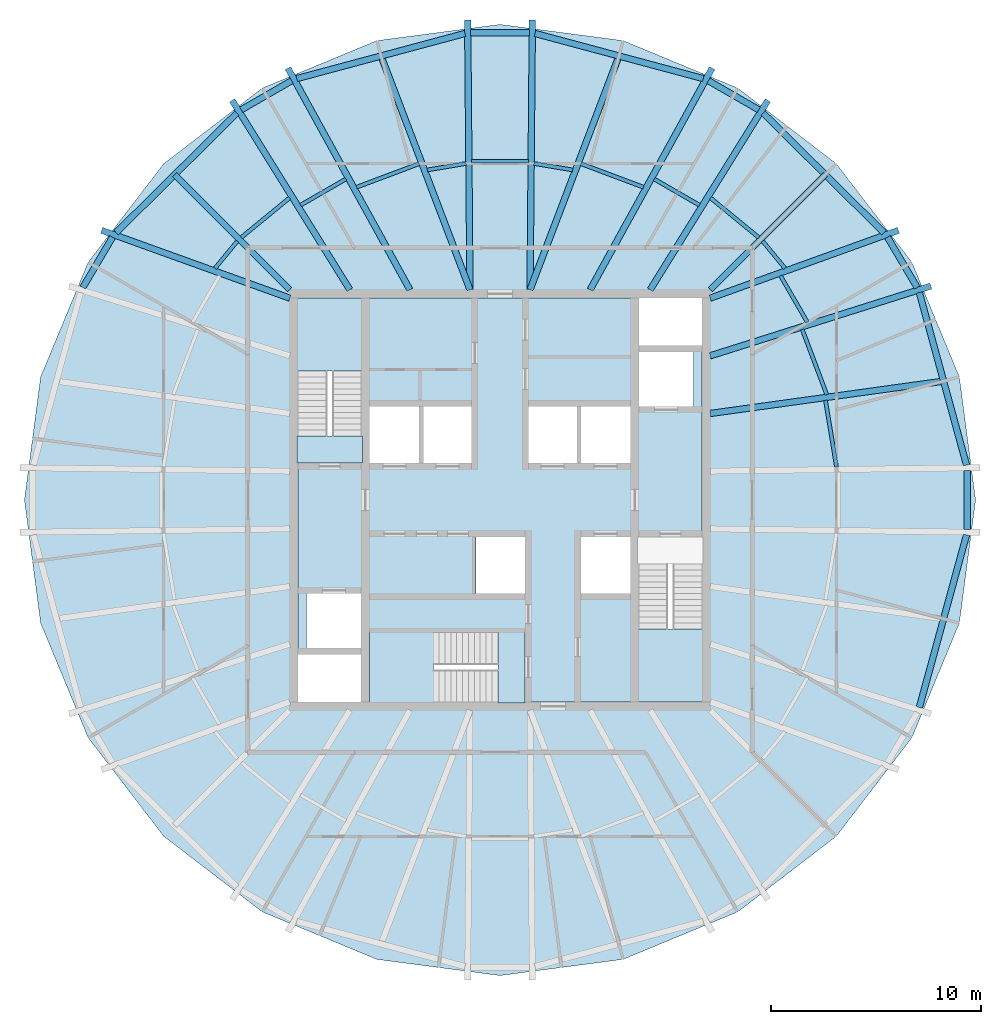
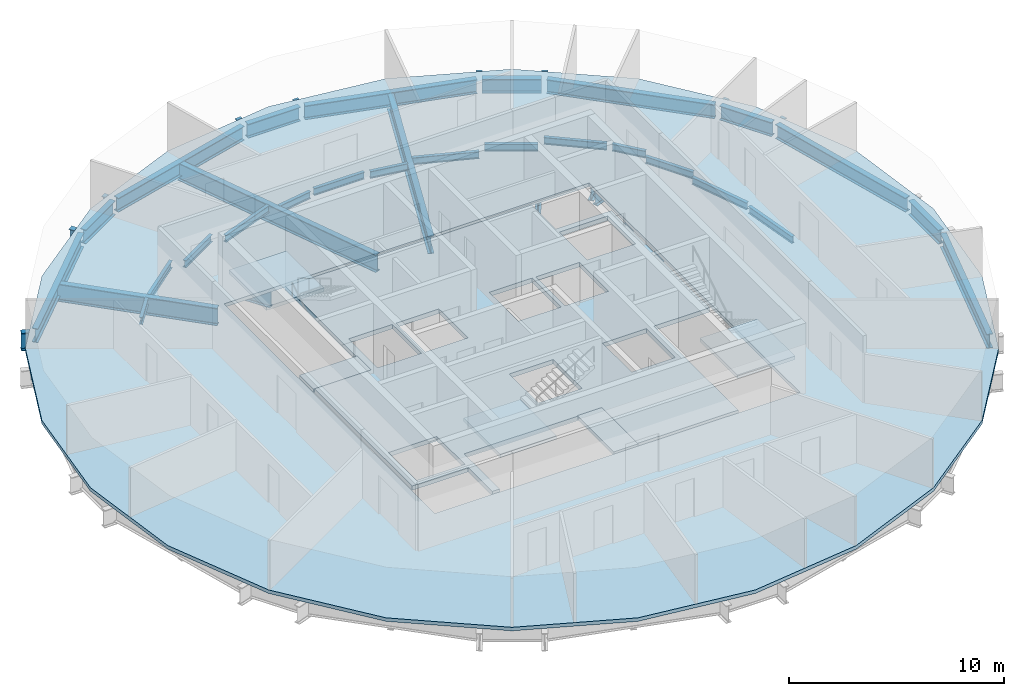
# One storey, part 2 of 6: 40 beams, 7 slabs, 3 elements without a shape of their own.
"""IFC4 building model written with IfcOpenShell, lengths in metres."""

from ifc_helpers import new_model, si_unit, direction, frame, origin, origin_2d, place, context, subcontext, project, spatial, polyline, i_section, outline, extrude, material, layer, layer_set, material_profile, profile_set, type_object, element, aggregate, save


model = new_model("IFC4")

# Units and contexts
model_context = context("Model", 3, precision=1e-05, world=origin(), true_north=direction((0.0, 1.0)))
body_context = subcontext(model_context, "Body", "Model", "MODEL_VIEW")
ifc_project = project(units=[si_unit("LENGTHUNIT", "METRE"), si_unit("AREAUNIT", "SQUARE_METRE"), si_unit("VOLUMEUNIT", "CUBIC_METRE"), si_unit("PLANEANGLEUNIT", "RADIAN"), si_unit("MASSUNIT", "GRAM", prefix="KILO")], contexts=[model_context])

# Site, building, storey
site_placement = place(None, origin())
site = spatial("IfcSite", under=ifc_project, at=site_placement, CompositionType="ELEMENT")
building_placement = place(site_placement, origin())
building = spatial("IfcBuilding", under=site, at=building_placement, Name="Golbaran Civic Tower", CompositionType="ELEMENT")
storey_placement = place(building_placement, frame((0.0, 0.0, 244.0)))
storey = spatial("IfcBuildingStorey", under=building, at=storey_placement, Name="L59", CompositionType="ELEMENT", Elevation=244.0)

# Beams
ifc_material_1 = material(Name="Steel S355", Category="steel")
ifc_material_profile_1 = material_profile(ifc_material_1, i_section(OverallWidth=0.300048828125, OverallDepth=0.800048828125, WebThickness=0.017578125, FlangeThickness=0.032958984375, FilletRadius=0.030029296875, at=origin_2d()), Name="HEB 800")
ifc_profile_set_1 = profile_set([ifc_material_profile_1], Name="Steel S355")
beam_type_1 = type_object("IfcBeamType", Name="EDGE BEAM HEB 800", PredefinedType="BEAM", material=ifc_profile_set_1)
beam_1_placement = place(storey_placement, frame((22.187744140625, 1.658935546875, -0.60009765625), z_axis=(-0.263734137138, 0.964595409956, 0.0), x_axis=(-0.964595409956, -0.263734137138, 0.0)))
element("IfcBeam", 1, at=beam_1_placement, inside=storey, type_object=beam_type_1, Name="Edge beam 3.79 L59", PredefinedType="BEAM", context=body_context, shape_type="SweptSolid", body=[
    extrude(i_section(OverallWidth=0.300048828125, OverallDepth=0.800048828125, WebThickness=0.017578125, FlangeThickness=0.032958984375, FilletRadius=0.030029296875, at=origin_2d()), origin(), (0.0, 0.0, 1.0), 8.50732421875),
])
beam_2_placement = place(storey_placement, frame((19.842041015625, 10.10546875, -0.60009765625), z_axis=(-0.508611029911, 0.860996411289, 0.0), x_axis=(-0.860996411289, -0.508611029911, 0.0)))
element("IfcBeam", 2, at=beam_2_placement, inside=storey, type_object=beam_type_1, Name="Edge beam 26.21 L59", PredefinedType="BEAM", context=body_context, shape_type="SweptSolid", body=[
    extrude(i_section(OverallWidth=0.300048828125, OverallDepth=0.800048828125, WebThickness=0.017578125, FlangeThickness=0.032958984375, FilletRadius=0.030029296875, at=origin_2d()), origin(), (0.0, 0.0, 1.0), 2.78173828125),
])
beam_3_placement = place(storey_placement, frame((18.257568359375, 12.7158203125, -0.60009765625), z_axis=(-0.71085817103, 0.703335382787, 0.0), x_axis=(-0.703335382787, -0.71085817103, 0.0)))
element("IfcBeam", 3, at=beam_3_placement, inside=storey, type_object=beam_type_1, Name="Edge beam 33.79 L59", PredefinedType="BEAM", context=body_context, shape_type="SweptSolid", body=[
    extrude(i_section(OverallWidth=0.300048828125, OverallDepth=0.800048828125, WebThickness=0.017578125, FlangeThickness=0.032958984375, FilletRadius=0.030029296875, at=origin_2d()), origin(), (0.0, 0.0, 1.0), 8.080810546875),
])
beam_4_placement = place(storey_placement, frame((12.3056640625, 18.55810546875, -0.60009765625), z_axis=(-0.866173842969, 0.499742807609, 0.0), x_axis=(-0.499742807609, -0.866173842969, 0.0)))
element("IfcBeam", 4, at=beam_4_placement, inside=storey, type_object=beam_type_1, Name="Edge beam 56.21 L59", PredefinedType="BEAM", context=body_context, shape_type="SweptSolid", body=[
    extrude(i_section(OverallWidth=0.300048828125, OverallDepth=0.800048828125, WebThickness=0.017578125, FlangeThickness=0.032958984375, FilletRadius=0.030029296875, at=origin_2d()), origin(), (0.0, 0.0, 1.0), 2.76904296875),
])
beam_5_placement = place(storey_placement, frame((9.665283203125, 20.04150390625, -0.60009765625), z_axis=(-0.965843017128, 0.259127895576, 0.0), x_axis=(-0.259127895576, -0.965843017128, 0.0)))
element("IfcBeam", 5, at=beam_5_placement, inside=storey, type_object=beam_type_1, Name="Edge beam 63.79 L59", PredefinedType="BEAM", context=body_context, shape_type="SweptSolid", body=[
    extrude(i_section(OverallWidth=0.300048828125, OverallDepth=0.800048828125, WebThickness=0.017578125, FlangeThickness=0.032958984375, FilletRadius=0.030029296875, at=origin_2d()), origin(), (0.0, 0.0, 1.0), 8.284423828125),
])
beam_6_placement = place(storey_placement, frame((1.404052734375, 22.222900390625, -0.60009765625), z_axis=(-1.0, 0.0, 0.0), x_axis=(0.0, -1.0, 0.0)))
element("IfcBeam", 6, at=beam_6_placement, inside=storey, type_object=beam_type_1, Name="Edge beam 86.21 L59", PredefinedType="BEAM", context=body_context, shape_type="SweptSolid", body=[
    extrude(i_section(OverallWidth=0.300048828125, OverallDepth=0.800048828125, WebThickness=0.017578125, FlangeThickness=0.032958984375, FilletRadius=0.030029296875, at=origin_2d()), origin(), (0.0, 0.0, 1.0), 2.80810546875),
])
beam_7_placement = place(storey_placement, frame((-1.663818359375, 22.188232421875, -0.60009765625), z_axis=(-0.965843017128, -0.259127895576, 0.0), x_axis=(0.259127895576, -0.965843017128, 0.0)))
element("IfcBeam", 7, at=beam_7_placement, inside=storey, type_object=beam_type_1, Name="Edge beam 93.79 L59", PredefinedType="BEAM", context=body_context, shape_type="SweptSolid", body=[
    extrude(i_section(OverallWidth=0.300048828125, OverallDepth=0.800048828125, WebThickness=0.017578125, FlangeThickness=0.032958984375, FilletRadius=0.030029296875, at=origin_2d()), origin(), (0.0, 0.0, 1.0), 8.284423828125),
])
beam_8_placement = place(storey_placement, frame((-9.9072265625, 19.94189453125, -0.60009765625), z_axis=(-0.866173842969, -0.499742807609, 0.0), x_axis=(0.499742807609, -0.866173842969, 0.0)))
element("IfcBeam", 8, at=beam_8_placement, inside=storey, type_object=beam_type_1, Name="Edge beam 116.21 L59", PredefinedType="BEAM", context=body_context, shape_type="SweptSolid", body=[
    extrude(i_section(OverallWidth=0.300048828125, OverallDepth=0.800048828125, WebThickness=0.017578125, FlangeThickness=0.032958984375, FilletRadius=0.030029296875, at=origin_2d()), origin(), (0.0, 0.0, 1.0), 2.76904296875),
])
beam_9_placement = place(storey_placement, frame((-12.51318359375, 18.3994140625, -0.60009765625), z_axis=(-0.71085817103, -0.703335382787, 0.0), x_axis=(0.703335382787, -0.71085817103, 0.0)))
element("IfcBeam", 9, at=beam_9_placement, inside=storey, type_object=beam_type_1, Name="Edge beam 123.79 L59", PredefinedType="BEAM", context=body_context, shape_type="SweptSolid", body=[
    extrude(i_section(OverallWidth=0.300048828125, OverallDepth=0.800048828125, WebThickness=0.017578125, FlangeThickness=0.032958984375, FilletRadius=0.030029296875, at=origin_2d()), origin(), (0.0, 0.0, 1.0), 8.080810546875),
])
beam_10_placement = place(storey_placement, frame((-18.42724609375, 12.50048828125, -0.60009765625), z_axis=(-0.508611029911, -0.860996411289, 0.0), x_axis=(0.860996411289, -0.508611029911, 0.0)))
element("IfcBeam", 10, at=beam_10_placement, inside=storey, type_object=beam_type_1, Name="Edge beam 146.21 L59", PredefinedType="BEAM", context=body_context, shape_type="SweptSolid", body=[
    extrude(i_section(OverallWidth=0.300048828125, OverallDepth=0.800048828125, WebThickness=0.017578125, FlangeThickness=0.032958984375, FilletRadius=0.030029296875, at=origin_2d()), origin(), (0.0, 0.0, 1.0), 2.78173828125),
])
beam_11_placement = place(storey_placement, frame((19.944091796875, -9.864990234375, -0.60009765625), z_axis=(0.263734137138, 0.964595409956, 0.0), x_axis=(-0.964595409956, 0.263734137138, 0.0)))
element("IfcBeam", 11, at=beam_11_placement, inside=storey, type_object=beam_type_1, Name="Edge beam 333.79 L59", PredefinedType="BEAM", context=body_context, shape_type="SweptSolid", body=[
    extrude(i_section(OverallWidth=0.300048828125, OverallDepth=0.800048828125, WebThickness=0.017578125, FlangeThickness=0.032958984375, FilletRadius=0.030029296875, at=origin_2d()), origin(), (0.0, 0.0, 1.0), 8.50732421875),
])
beam_12_placement = place(storey_placement, frame((22.22314453125, -1.399169921875, -0.60009765625), z_axis=(0.0, 1.0, 0.0), x_axis=(-1.0, 0.0, 0.0)))
element("IfcBeam", 12, at=beam_12_placement, inside=storey, type_object=beam_type_1, Name="Edge beam 356.21 L59", PredefinedType="BEAM", context=body_context, shape_type="SweptSolid", body=[
    extrude(i_section(OverallWidth=0.300048828125, OverallDepth=0.800048828125, WebThickness=0.017578125, FlangeThickness=0.032958984375, FilletRadius=0.030029296875, at=origin_2d()), origin(), (0.0, 0.0, 1.0), 2.79833984375),
])
ifc_material_profile_2 = material_profile(ifc_material_1, i_section(OverallWidth=0.179931640625, OverallDepth=0.39990234375, WebThickness=0.008544921875, FlangeThickness=0.013427734375, FilletRadius=0.02099609375, at=origin_2d()), Name="IPE 400")
ifc_profile_set_2 = profile_set([ifc_material_profile_2], Name="Steel S355")
beam_type_2 = type_object("IfcBeamType", Name="FLOOR INFILL BEAM IPE 400", PredefinedType="BEAM", material=ifc_profile_set_2)
beam_13_placement = place(storey_placement, frame((16.0029296875, 1.578857421875, -0.39990234375), z_axis=(-0.163226033771, 0.986588699459, 0.0), x_axis=(-0.986588699459, -0.163226033771, 0.0)))
element("IfcBeam", 13, at=beam_13_placement, inside=storey, type_object=beam_type_2, Name="Infill beam 9.39 L59", PredefinedType="BEAM", context=body_context, shape_type="SweptSolid", body=[
    extrude(i_section(OverallWidth=0.179931640625, OverallDepth=0.39990234375, WebThickness=0.008544921875, FlangeThickness=0.013427734375, FilletRadius=0.02099609375, at=origin_2d()), origin(), (0.0, 0.0, 1.0), 3.206787109375),
])
beam_14_placement = place(storey_placement, frame((15.53857421875, 5.013427734375, -0.39990234375), z_axis=(-0.351973981734, 0.936009784234, 0.0), x_axis=(-0.936009784234, -0.351973981734, 0.0)))
element("IfcBeam", 14, at=beam_14_placement, inside=storey, type_object=beam_type_2, Name="Infill beam 20.61 L59", PredefinedType="BEAM", context=body_context, shape_type="SweptSolid", body=[
    extrude(i_section(OverallWidth=0.179931640625, OverallDepth=0.39990234375, WebThickness=0.008544921875, FlangeThickness=0.013427734375, FilletRadius=0.02099609375, at=origin_2d()), origin(), (0.0, 0.0, 1.0), 3.302490234375),
])
beam_15_placement = place(storey_placement, frame((14.617431640625, 8.45361328125, -0.39990234375), z_axis=(-0.499962338254, 0.866047146712, 0.0), x_axis=(-0.866047146712, -0.499962338254, 0.0)))
element("IfcBeam", 15, at=beam_15_placement, inside=storey, type_object=beam_type_2, Name="Infill beam 30.00 L59", PredefinedType="BEAM", context=body_context, shape_type="SweptSolid", body=[
    extrude(i_section(OverallWidth=0.179931640625, OverallDepth=0.39990234375, WebThickness=0.008544921875, FlangeThickness=0.013427734375, FilletRadius=0.02099609375, at=origin_2d()), origin(), (0.0, 0.0, 1.0), 2.554931640625),
])
beam_16_placement = place(storey_placement, frame((13.55419921875, 11.019775390625, -0.39990234375), z_axis=(-0.634574189165, 0.772861953033, 0.0), x_axis=(-0.772861953033, -0.634574189165, 0.0)))
element("IfcBeam", 16, at=beam_16_placement, inside=storey, type_object=beam_type_2, Name="Infill beam 39.39 L59", PredefinedType="BEAM", context=body_context, shape_type="SweptSolid", body=[
    extrude(i_section(OverallWidth=0.179931640625, OverallDepth=0.39990234375, WebThickness=0.008544921875, FlangeThickness=0.013427734375, FilletRadius=0.02099609375, at=origin_2d()), origin(), (0.0, 0.0, 1.0), 1.670166015625),
])
beam_17_placement = place(storey_placement, frame((12.302490234375, 12.486328125, -0.39990234375), z_axis=(-0.772848776414, 0.634590236921, 0.0), x_axis=(-0.634590236921, -0.772848776414, 0.0)))
element("IfcBeam", 17, at=beam_17_placement, inside=storey, type_object=beam_type_2, Name="Infill beam 50.61 L59", PredefinedType="BEAM", context=body_context, shape_type="SweptSolid", body=[
    extrude(i_section(OverallWidth=0.179931640625, OverallDepth=0.39990234375, WebThickness=0.008544921875, FlangeThickness=0.013427734375, FilletRadius=0.02099609375, at=origin_2d()), origin(), (0.0, 0.0, 1.0), 2.966552734375),
])
beam_18_placement = place(storey_placement, frame((9.487060546875, 14.0205078125, -0.39990234375), z_axis=(-0.866012380058, 0.500022557078, 0.0), x_axis=(-0.500022557078, -0.866012380058, 0.0)))
element("IfcBeam", 18, at=beam_18_placement, inside=storey, type_object=beam_type_2, Name="Infill beam 60.00 L59", PredefinedType="BEAM", context=body_context, shape_type="SweptSolid", body=[
    extrude(i_section(OverallWidth=0.179931640625, OverallDepth=0.39990234375, WebThickness=0.008544921875, FlangeThickness=0.013427734375, FilletRadius=0.02099609375, at=origin_2d()), origin(), (0.0, 0.0, 1.0), 2.48828125),
])
beam_19_placement = place(storey_placement, frame((6.821533203125, 14.875732421875, -0.39990234375), z_axis=(-0.936028781581, 0.351923457661, 0.0), x_axis=(-0.351923457661, -0.936028781581, 0.0)))
element("IfcBeam", 19, at=beam_19_placement, inside=storey, type_object=beam_type_2, Name="Infill beam 69.39 L59", PredefinedType="BEAM", context=body_context, shape_type="SweptSolid", body=[
    extrude(i_section(OverallWidth=0.179931640625, OverallDepth=0.39990234375, WebThickness=0.008544921875, FlangeThickness=0.013427734375, FilletRadius=0.02099609375, at=origin_2d()), origin(), (0.0, 0.0, 1.0), 3.176513671875),
])
beam_20_placement = place(storey_placement, frame((3.457275390625, 15.69775390625, -0.39990234375), z_axis=(-0.986580095911, 0.16327802777, 0.0), x_axis=(-0.16327802777, -0.986580095911, 0.0)))
element("IfcBeam", 20, at=beam_20_placement, inside=storey, type_object=beam_type_2, Name="Infill beam 80.61 L59", PredefinedType="BEAM", context=body_context, shape_type="SweptSolid", body=[
    extrude(i_section(OverallWidth=0.179931640625, OverallDepth=0.39990234375, WebThickness=0.008544921875, FlangeThickness=0.013427734375, FilletRadius=0.02099609375, at=origin_2d()), origin(), (0.0, 0.0, 1.0), 1.8720703125),
])
beam_21_placement = place(storey_placement, frame((1.351318359375, 16.111572265625, -0.39990234375), z_axis=(-1.0, 0.0, 0.0), x_axis=(0.0, -1.0, 0.0)))
element("IfcBeam", 21, at=beam_21_placement, inside=storey, type_object=beam_type_2, Name="Infill beam 90.00 L59", PredefinedType="BEAM", context=body_context, shape_type="SweptSolid", body=[
    extrude(i_section(OverallWidth=0.179931640625, OverallDepth=0.39990234375, WebThickness=0.008544921875, FlangeThickness=0.013427734375, FilletRadius=0.02099609375, at=origin_2d()), origin(), (0.0, 0.0, 1.0), 2.70263671875),
])
beam_22_placement = place(storey_placement, frame((-1.6103515625, 16.00341796875, -0.39990234375), z_axis=(-0.986580095911, -0.16327802777, 0.0), x_axis=(0.16327802777, -0.986580095911, 0.0)))
element("IfcBeam", 22, at=beam_22_placement, inside=storey, type_object=beam_type_2, Name="Infill beam 99.39 L59", PredefinedType="BEAM", context=body_context, shape_type="SweptSolid", body=[
    extrude(i_section(OverallWidth=0.179931640625, OverallDepth=0.39990234375, WebThickness=0.008544921875, FlangeThickness=0.013427734375, FilletRadius=0.02099609375, at=origin_2d()), origin(), (0.0, 0.0, 1.0), 1.8720703125),
])
beam_23_placement = place(storey_placement, frame((-3.84814453125, 15.99365234375, -0.39990234375), z_axis=(-0.936028781581, -0.351923457661, 0.0), x_axis=(0.351923457661, -0.936028781581, 0.0)))
element("IfcBeam", 23, at=beam_23_placement, inside=storey, type_object=beam_type_2, Name="Infill beam 110.61 L59", PredefinedType="BEAM", context=body_context, shape_type="SweptSolid", body=[
    extrude(i_section(OverallWidth=0.179931640625, OverallDepth=0.39990234375, WebThickness=0.008544921875, FlangeThickness=0.013427734375, FilletRadius=0.02099609375, at=origin_2d()), origin(), (0.0, 0.0, 1.0), 3.176513671875),
])
beam_24_placement = place(storey_placement, frame((-7.332275390625, 15.2646484375, -0.39990234375), z_axis=(-0.866012380058, -0.500022557078, 0.0), x_axis=(0.500022557078, -0.866012380058, 0.0)))
element("IfcBeam", 24, at=beam_24_placement, inside=storey, type_object=beam_type_2, Name="Infill beam 120.00 L59", PredefinedType="BEAM", context=body_context, shape_type="SweptSolid", body=[
    extrude(i_section(OverallWidth=0.179931640625, OverallDepth=0.39990234375, WebThickness=0.008544921875, FlangeThickness=0.013427734375, FilletRadius=0.02099609375, at=origin_2d()), origin(), (0.0, 0.0, 1.0), 2.48828125),
])
beam_25_placement = place(storey_placement, frame((-10.009765625, 14.368896484375, -0.39990234375), z_axis=(-0.772848776414, -0.634590236921, 0.0), x_axis=(0.634590236921, -0.772848776414, 0.0)))
element("IfcBeam", 25, at=beam_25_placement, inside=storey, type_object=beam_type_2, Name="Infill beam 129.39 L59", PredefinedType="BEAM", context=body_context, shape_type="SweptSolid", body=[
    extrude(i_section(OverallWidth=0.179931640625, OverallDepth=0.39990234375, WebThickness=0.008544921875, FlangeThickness=0.013427734375, FilletRadius=0.02099609375, at=origin_2d()), origin(), (0.0, 0.0, 1.0), 2.966552734375),
])
beam_26_placement = place(storey_placement, frame((-12.494384765625, 12.310546875, -0.39990234375), z_axis=(-0.634574189165, -0.772861953033, 0.0), x_axis=(0.772861953033, -0.634574189165, 0.0)))
element("IfcBeam", 26, at=beam_26_placement, inside=storey, type_object=beam_type_2, Name="Infill beam 140.61 L59", PredefinedType="BEAM", context=body_context, shape_type="SweptSolid", body=[
    extrude(i_section(OverallWidth=0.179931640625, OverallDepth=0.39990234375, WebThickness=0.008544921875, FlangeThickness=0.013427734375, FilletRadius=0.02099609375, at=origin_2d()), origin(), (0.0, 0.0, 1.0), 1.670166015625),
])
ifc_material_profile_3 = material_profile(ifc_material_1, i_section(OverallWidth=0.300048828125, OverallDepth=1.0, WebThickness=0.01904296875, FlangeThickness=0.035888671875, FilletRadius=0.030029296875, at=origin_2d()), Name="HEB 1000")
ifc_profile_set_3 = profile_set([ifc_material_profile_3], Name="Steel S355")
beam_type_3 = type_object("IfcBeamType", Name="RADIAL FLOOR BEAM HEB 1000", PredefinedType="BEAM", material=ifc_profile_set_3)
beam_27_placement = place(storey_placement, frame((10.0, 6.857177734375, -0.7099609375), z_axis=(0.953472615624, 0.30147963655, 0.0), x_axis=(-0.30147963655, 0.953472615624, 0.0)))
element("IfcBeam", 27, at=beam_27_placement, inside=storey, type_object=beam_type_3, Name="Radial beam 26.21 L59", PredefinedType="BEAM", context=body_context, shape_type="SweptSolid", body=[
    extrude(i_section(OverallWidth=0.300048828125, OverallDepth=1.0, WebThickness=0.01904296875, FlangeThickness=0.035888671875, FilletRadius=0.030029296875, at=origin_2d()), origin(), (0.0, 0.0, 1.0), 11.003662109375),
])
beam_28_placement = place(storey_placement, frame((10.0, 9.60009765625, -0.7099609375), z_axis=(0.940708930725, 0.339214839967, 0.0), x_axis=(-0.339214839967, 0.940708930725, 0.0)))
element("IfcBeam", 28, at=beam_28_placement, inside=storey, type_object=beam_type_3, Name="Radial beam 33.79 L59", PredefinedType="BEAM", context=body_context, shape_type="SweptSolid", body=[
    extrude(i_section(OverallWidth=0.300048828125, OverallDepth=1.0, WebThickness=0.01904296875, FlangeThickness=0.035888671875, FilletRadius=0.030029296875, at=origin_2d()), origin(), (0.0, 0.0, 1.0), 9.510498046875),
])
beam_29_placement = place(storey_placement, frame((7.142822265625, 10.0, -0.7099609375), z_axis=(0.527645437204, 0.849464709448, 0.0), x_axis=(-0.849464709448, 0.527645437204, 0.0)))
element("IfcBeam", 29, at=beam_29_placement, inside=storey, type_object=beam_type_3, Name="Radial beam 56.21 L59", PredefinedType="BEAM", context=body_context, shape_type="SweptSolid", body=[
    extrude(i_section(OverallWidth=0.300048828125, OverallDepth=1.0, WebThickness=0.01904296875, FlangeThickness=0.035888671875, FilletRadius=0.030029296875, at=origin_2d()), origin(), (0.0, 0.0, 1.0), 10.601806640625),
])
beam_30_placement = place(storey_placement, frame((4.28564453125, 10.0, -0.7099609375), z_axis=(0.482273268066, 0.87602083018, 0.0), x_axis=(-0.87602083018, 0.482273268066, 0.0)))
element("IfcBeam", 30, at=beam_30_placement, inside=storey, type_object=beam_type_3, Name="Radial beam 63.79 L59", PredefinedType="BEAM", context=body_context, shape_type="SweptSolid", body=[
    extrude(i_section(OverallWidth=0.300048828125, OverallDepth=1.0, WebThickness=0.01904296875, FlangeThickness=0.035888671875, FilletRadius=0.030029296875, at=origin_2d()), origin(), (0.0, 0.0, 1.0), 12.027099609375),
])
for number, where, z_axis, x_axis, name in (
    (31, (1.428466796875, 10.0, -0.7099609375), (0.008640712817, 0.999962668344, 0.0), (-0.999962668344, 0.008640712817, 0.0), "Radial beam 86.21 L59"),
    (32, (-1.428466796875, 10.0, -0.7099609375), (-0.008640712817, 0.999962668344, 0.0), (-0.999962668344, -0.008640712817, 0.0), "Radial beam 93.79 L59"),
):
    element("IfcBeam", number, at=place(storey_placement, frame(where, z_axis=z_axis, x_axis=x_axis)), inside=storey, type_object=beam_type_3, Name=name, PredefinedType="BEAM", context=body_context, shape_type="SweptSolid", body=[
        extrude(i_section(OverallWidth=0.300048828125, OverallDepth=1.0, WebThickness=0.01904296875, FlangeThickness=0.035888671875, FilletRadius=0.030029296875, at=origin_2d()), origin(), (0.0, 0.0, 1.0), 12.82763671875),
    ])
beam_31_placement = place(storey_placement, frame((-4.28564453125, 10.0, -0.7099609375), z_axis=(-0.482273268066, 0.87602083018, 0.0), x_axis=(-0.87602083018, -0.482273268066, 0.0)))
element("IfcBeam", 33, at=beam_31_placement, inside=storey, type_object=beam_type_3, Name="Radial beam 116.21 L59", PredefinedType="BEAM", context=body_context, shape_type="SweptSolid", body=[
    extrude(i_section(OverallWidth=0.300048828125, OverallDepth=1.0, WebThickness=0.01904296875, FlangeThickness=0.035888671875, FilletRadius=0.030029296875, at=origin_2d()), origin(), (0.0, 0.0, 1.0), 12.027099609375),
])
beam_32_placement = place(storey_placement, frame((-7.142822265625, 10.0, -0.7099609375), z_axis=(-0.527645437204, 0.849464709448, 0.0), x_axis=(-0.849464709448, -0.527645437204, 0.0)))
element("IfcBeam", 34, at=beam_32_placement, inside=storey, type_object=beam_type_3, Name="Radial beam 123.79 L59", PredefinedType="BEAM", context=body_context, shape_type="SweptSolid", body=[
    extrude(i_section(OverallWidth=0.300048828125, OverallDepth=1.0, WebThickness=0.01904296875, FlangeThickness=0.035888671875, FilletRadius=0.030029296875, at=origin_2d()), origin(), (0.0, 0.0, 1.0), 10.601806640625),
])
beam_33_placement = place(storey_placement, frame((-10.0, 9.60009765625, -0.7099609375), z_axis=(-0.940708930725, 0.339214839967, 0.0), x_axis=(-0.339214839967, -0.940708930725, 0.0)))
element("IfcBeam", 35, at=beam_33_placement, inside=storey, type_object=beam_type_3, Name="Radial beam 146.21 L59", PredefinedType="BEAM", context=body_context, shape_type="SweptSolid", body=[
    extrude(i_section(OverallWidth=0.300048828125, OverallDepth=1.0, WebThickness=0.01904296875, FlangeThickness=0.035888671875, FilletRadius=0.030029296875, at=origin_2d()), origin(), (0.0, 0.0, 1.0), 9.510498046875),
])
ifc_material_profile_4 = material_profile(ifc_material_1, i_section(OverallWidth=0.300048828125, OverallDepth=1.0, WebThickness=0.01904296875, FlangeThickness=0.035888671875, FilletRadius=0.030029296875, at=origin_2d()), Name="HEB 1000")
ifc_profile_set_4 = profile_set([ifc_material_profile_4], Name="Steel S355")
beam_type_4 = type_object("IfcBeamType", Name="SECONDARY FLOOR BEAM HEB 1000", PredefinedType="BEAM", material=ifc_profile_set_4)
beam_34_placement = place(storey_placement, frame((10.0, 4.1142578125, -0.7099609375), z_axis=(0.990525982376, 0.137325446433, 0.0), x_axis=(-0.137325446433, 0.990525982376, 0.0)))
element("IfcBeam", 36, at=beam_34_placement, inside=storey, type_object=beam_type_4, Name="Secondary beam 15.00 L59", PredefinedType="BEAM", context=body_context, shape_type="SweptSolid", body=[
    extrude(i_section(OverallWidth=0.300048828125, OverallDepth=1.0, WebThickness=0.01904296875, FlangeThickness=0.035888671875, FilletRadius=0.030029296875, at=origin_2d()), origin(), (0.0, 0.0, 1.0), 11.2021484375),
])
beam_35_placement = place(storey_placement, frame((10.0, 10.0, -0.7099609375), z_axis=(0.707106781187, 0.707106781187, 0.0), x_axis=(-0.707106781187, 0.707106781187, 0.0)))
element("IfcBeam", 37, at=beam_35_placement, inside=storey, type_object=beam_type_4, Name="Secondary beam 45.00 L59", PredefinedType="BEAM", context=body_context, shape_type="SweptSolid", body=[
    extrude(i_section(OverallWidth=0.300048828125, OverallDepth=1.0, WebThickness=0.01904296875, FlangeThickness=0.035888671875, FilletRadius=0.030029296875, at=origin_2d()), origin(), (0.0, 0.0, 1.0), 7.738525390625),
])
for number, where, z_axis, x_axis, name in (
    (38, (1.428466796875, 10.0, -0.7099609375), (0.355620579657, 0.934630410015, 0.0), (-0.934630410015, 0.355620579657, 0.0), "Secondary beam 75.00 L59"),
    (39, (-1.428466796875, 10.0, -0.7099609375), (-0.355620579657, 0.934630410015, 0.0), (-0.934630410015, -0.355620579657, 0.0), "Secondary beam 105.00 L59"),
):
    element("IfcBeam", number, at=place(storey_placement, frame(where, z_axis=z_axis, x_axis=x_axis)), inside=storey, type_object=beam_type_4, Name=name, PredefinedType="BEAM", context=body_context, shape_type="SweptSolid", body=[
        extrude(i_section(OverallWidth=0.300048828125, OverallDepth=1.0, WebThickness=0.01904296875, FlangeThickness=0.035888671875, FilletRadius=0.030029296875, at=origin_2d()), origin(), (0.0, 0.0, 1.0), 11.89404296875),
    ])
beam_36_placement = place(storey_placement, frame((-10.0, 10.0, -0.7099609375), z_axis=(-0.707106781187, 0.707106781187, 0.0), x_axis=(-0.707106781187, -0.707106781187, 0.0)))
element("IfcBeam", 40, at=beam_36_placement, inside=storey, type_object=beam_type_4, Name="Secondary beam 135.00 L59", PredefinedType="BEAM", context=body_context, shape_type="SweptSolid", body=[
    extrude(i_section(OverallWidth=0.300048828125, OverallDepth=1.0, WebThickness=0.01904296875, FlangeThickness=0.035888671875, FilletRadius=0.030029296875, at=origin_2d()), origin(), (0.0, 0.0, 1.0), 7.738525390625),
])

# Slabs
ifc_material_2 = material(Name="Concrete LC30/33 lightweight on steel deck", Category="concrete")
ifc_layer_1 = layer(ifc_material_2, 0.199951171875, Name="Concrete LC30/33 lightweight on steel deck")
ifc_layer_set_1 = layer_set([ifc_layer_1], Name="Concrete LC30/33 lightweight on steel deck")
slab_type_1 = type_object("IfcSlabType", Name="COMPOSITE FLOOR SLAB 200", PredefinedType="FLOOR", material=ifc_layer_set_1)
slab_1_placement = place(storey_placement, frame((0.0, 0.0, -0.199951171875)))
element("IfcSlab", 41, at=slab_1_placement, inside=storey, type_object=slab_type_1, Name="Floor slab L59", PredefinedType="FLOOR", context=body_context, shape_type="SweptSolid", body=[
    extrude(outline(polyline([(19.5888671875, -11.3095703125), (15.994384765625, -15.994384765625), (11.3095703125, -19.5888671875), (5.854248046875, -21.8486328125), (0.0, -22.619384765625), (-5.854248046875, -21.8486328125), (-11.3095703125, -19.5888671875), (-15.994384765625, -15.994384765625), (-19.5888671875, -11.3095703125), (-21.8486328125, -5.854248046875), (-22.619384765625, 0.0), (-21.8486328125, 5.854248046875), (-19.5888671875, 11.3095703125), (-15.994384765625, 15.994384765625), (-11.3095703125, 19.5888671875), (-5.854248046875, 21.8486328125), (0.0, 22.619384765625), (5.854248046875, 21.8486328125), (11.3095703125, 19.5888671875), (15.994384765625, 15.994384765625), (19.5888671875, 11.3095703125), (21.8486328125, 5.854248046875), (22.619384765625, 0.0), (21.8486328125, -5.854248046875), (19.5888671875, -11.3095703125)]), holes=[polyline([(-9.800048828125, 9.800048828125), (-9.800048828125, -9.800048828125), (9.800048828125, -9.800048828125), (9.800048828125, 9.800048828125), (-9.800048828125, 9.800048828125)])]), origin(), (0.0, 0.0, 1.0), 0.199951171875),
])
ifc_material_3 = material(Name="Concrete C35/45", Category="concrete")
ifc_layer_2 = layer(ifc_material_3, 0.25, Name="Concrete C35/45")
ifc_layer_set_2 = layer_set([ifc_layer_2], Name="Concrete C35/45")
slab_type_2 = type_object("IfcSlabType", Name="CORE FLOOR SLAB 250", PredefinedType="FLOOR", material=ifc_layer_set_2)
slab_2_placement = place(storey_placement, frame((0.0, 0.0, -0.25)))
element("IfcSlab", 42, at=slab_2_placement, inside=storey, type_object=slab_type_2, Name="Core floor slab L59", PredefinedType="FLOOR", context=body_context, shape_type="SweptSolid", body=[
    extrude(outline(polyline([(6.60009765625, -1.75), (6.60009765625, -9.60009765625), (1.199951171875, -9.60009765625), (1.199951171875, -6.300048828125), (-6.199951171875, -6.300048828125), (-6.199951171875, -9.60009765625), (-6.60009765625, -9.60009765625), (-6.60009765625, -7.35009765625), (-9.60009765625, -7.35009765625), (-9.60009765625, 1.75), (-6.60009765625, 1.75), (-6.60009765625, 9.60009765625), (6.60009765625, 9.60009765625), (6.60009765625, 7.35009765625), (9.60009765625, 7.35009765625), (9.60009765625, -1.75), (6.60009765625, -1.75)]), holes=[polyline([(9.199951171875, 7.050048828125), (6.60009765625, 7.050048828125), (6.60009765625, 4.449951171875), (9.199951171875, 4.449951171875), (9.199951171875, 7.050048828125)]), polyline([(6.199951171875, -1.75), (3.85009765625, -1.75), (3.85009765625, -4.449951171875), (6.199951171875, -4.449951171875), (6.199951171875, -1.75)]), polyline([(6.199951171875, 4.449951171875), (3.85009765625, 4.449951171875), (3.85009765625, 1.75), (6.199951171875, 1.75), (6.199951171875, 4.449951171875)]), polyline([(3.64990234375, 4.449951171875), (1.35009765625, 4.449951171875), (1.35009765625, 1.75), (3.64990234375, 1.75), (3.64990234375, 4.449951171875)]), polyline([(-1.14990234375, -1.75), (-1.14990234375, -4.449951171875), (1.199951171875, -4.449951171875), (1.199951171875, -1.75), (-1.14990234375, -1.75)]), polyline([(-1.35009765625, 4.449951171875), (-3.64990234375, 4.449951171875), (-3.64990234375, 1.75), (-1.35009765625, 1.75), (-1.35009765625, 4.449951171875)]), polyline([(-3.85009765625, 4.449951171875), (-6.199951171875, 4.449951171875), (-6.199951171875, 1.75), (-3.85009765625, 1.75), (-3.85009765625, 4.449951171875)]), polyline([(-6.60009765625, -4.449951171875), (-9.199951171875, -4.449951171875), (-9.199951171875, -7.050048828125), (-6.60009765625, -7.050048828125), (-6.60009765625, -4.449951171875)])]), origin(), (0.0, 0.0, 1.0), 0.25),
])

# Stair, slab
stair_type_1 = type_object("IfcStairType", Name="EXIT STAIR 3000 x 7850, 4000 RISE", PredefinedType="HALF_TURN_STAIR", material=ifc_material_3)
stair_1_placement = place(storey_placement, origin())
stair_1 = element("IfcStair", 43, at=stair_1_placement, inside=storey, type_object=stair_type_1, Name="Stair S1 L59", PredefinedType="HALF_TURN_STAIR")
ifc_layer_3 = layer(ifc_material_3, 0.199951171875, Name="Concrete C35/45")
ifc_layer_set_3 = layer_set([ifc_layer_3], Name="Concrete C35/45")
slab_type_3 = type_object("IfcSlabType", Name="STAIR LANDING 200", PredefinedType="LANDING", material=ifc_layer_set_3)
slab_3_placement = place(storey_placement, frame((0.0, 0.0, 1.800048828125)))
slab_3 = element("IfcSlab", 44, at=slab_3_placement, type_object=slab_type_3, Name="ST30078-40 landing 1", PredefinedType="LANDING", context=body_context, shape_type="SweptSolid", body=[
    extrude(outline(polyline([(-9.64990234375, 6.125), (-9.64990234375, 9.60009765625), (-6.550048828125, 9.60009765625), (-6.550048828125, 6.125), (-9.64990234375, 6.125)])), origin(), (0.0, 0.0, 1.0), 0.199951171875),
])
aggregate(stair_1, [slab_3])

# Slab
slab_4_placement = place(storey_placement, frame((0.0, 0.0, -0.199951171875)))
element("IfcSlab", 45, at=slab_4_placement, inside=storey, type_object=slab_type_3, Name="Stair S1 floor landing L59", PredefinedType="LANDING", context=body_context, shape_type="SweptSolid", body=[
    extrude(outline(polyline([(-9.64990234375, 1.75), (-9.64990234375, 3.054931640625), (-6.550048828125, 3.054931640625), (-6.550048828125, 1.75), (-9.64990234375, 1.75)])), origin(), (0.0, 0.0, 1.0), 0.199951171875),
])

# Stair, slab
stair_2_placement = place(storey_placement, origin())
stair_2 = element("IfcStair", 46, at=stair_2_placement, inside=storey, type_object=stair_type_1, Name="Stair S2 L59", PredefinedType="HALF_TURN_STAIR")
slab_5_placement = place(storey_placement, frame((0.0, 0.0, 1.800048828125)))
slab_5 = element("IfcSlab", 47, at=slab_5_placement, type_object=slab_type_3, Name="ST30078-40 landing 1", PredefinedType="LANDING", context=body_context, shape_type="SweptSolid", body=[
    extrude(outline(polyline([(9.64990234375, -6.125), (9.64990234375, -9.60009765625), (6.550048828125, -9.60009765625), (6.550048828125, -6.125), (9.64990234375, -6.125)])), origin(), (0.0, 0.0, 1.0), 0.199951171875),
])
aggregate(stair_2, [slab_5])

stair_type_2 = type_object("IfcStairType", Name="EXIT STAIR 3300 x 7400, 4000 RISE", PredefinedType="HALF_TURN_STAIR", material=ifc_material_3)
stair_3_placement = place(storey_placement, origin())
stair_3 = element("IfcStair", 48, at=stair_3_placement, inside=storey, type_object=stair_type_2, Name="Stair S3 L59", PredefinedType="HALF_TURN_STAIR")
slab_6_placement = place(storey_placement, frame((0.0, 0.0, 1.800048828125)))
slab_6 = element("IfcSlab", 49, at=slab_6_placement, type_object=slab_type_3, Name="ST33074-40 landing 1", PredefinedType="LANDING", context=body_context, shape_type="SweptSolid", body=[
    extrude(outline(polyline([(-3.175048828125, -9.64990234375), (-6.199951171875, -9.64990234375), (-6.199951171875, -6.25), (-3.175048828125, -6.25), (-3.175048828125, -9.64990234375)])), origin(), (0.0, 0.0, 1.0), 0.199951171875),
])
aggregate(stair_3, [slab_6])

# Slab
slab_7_placement = place(storey_placement, frame((0.0, 0.0, -0.199951171875)))
element("IfcSlab", 50, at=slab_7_placement, inside=storey, type_object=slab_type_3, Name="Stair S3 floor landing L59", PredefinedType="LANDING", context=body_context, shape_type="SweptSolid", body=[
    extrude(outline(polyline([(1.199951171875, -9.64990234375), (-0.10498046875, -9.64990234375), (-0.10498046875, -6.25), (1.199951171875, -6.25), (1.199951171875, -9.64990234375)])), origin(), (0.0, 0.0, 1.0), 0.199951171875),
])

save(model, "model.ifc")
